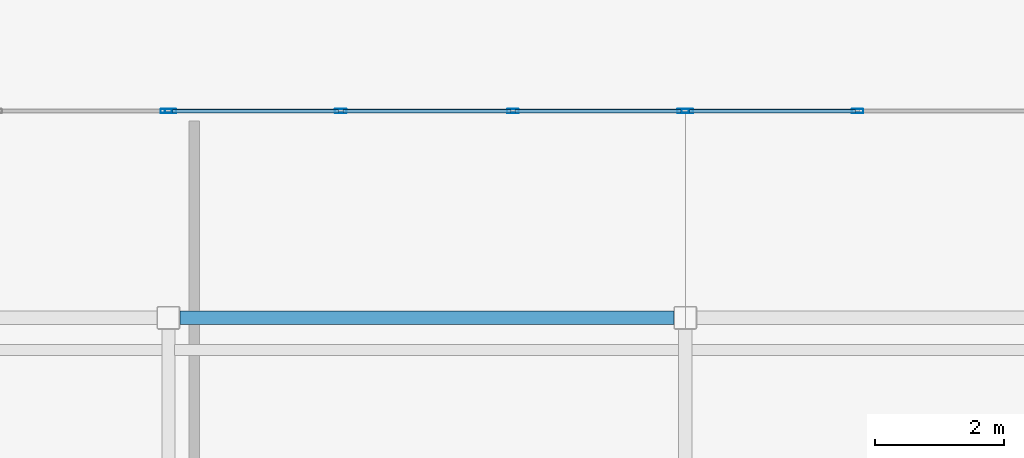
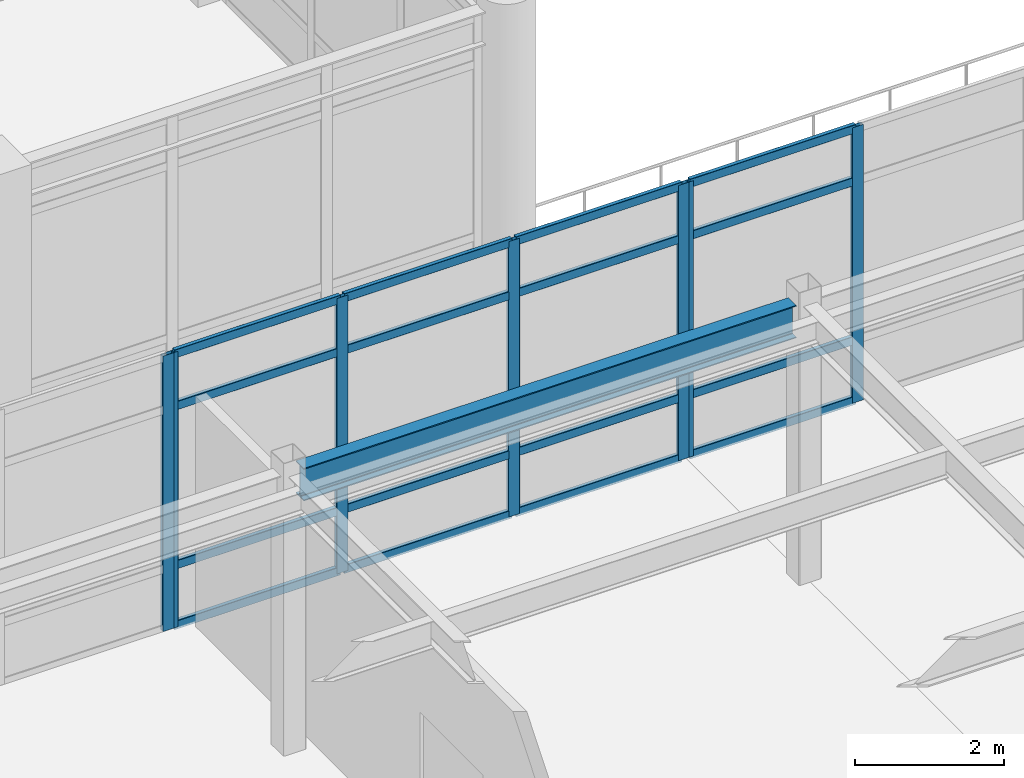
# One storey, part 39 of 117: 23 members, 1 beam, 3 elements without a shape of their own.
"""IFC4 building model written with IfcOpenShell, lengths in metres."""

from ifc_helpers import new_model, si_unit, direction, frame, origin, origin_2d, place, context, subcontext, project, spatial, hollow_rectangle, i_section, extrude, material, material_profile, profile_set, type_object, element, aggregate, save


model = new_model("IFC4")

# Units and contexts
model_context = context("Model", 3, precision=1e-05, world=origin(), true_north=direction((0.0, 1.0)))
body_context = subcontext(model_context, "Body", "Model", "MODEL_VIEW")
ifc_project = project(units=[si_unit("LENGTHUNIT", "METRE"), si_unit("AREAUNIT", "SQUARE_METRE"), si_unit("VOLUMEUNIT", "CUBIC_METRE"), si_unit("PLANEANGLEUNIT", "RADIAN"), si_unit("MASSUNIT", "GRAM", prefix="KILO")], contexts=[model_context])

# Site, building, storey
site_placement = place(None, origin())
site = spatial("IfcSite", under=ifc_project, at=site_placement, CompositionType="ELEMENT")
building_placement = place(site_placement, origin())
building = spatial("IfcBuilding", under=site, at=building_placement, Name="Solmirada Galleria", CompositionType="ELEMENT")
storey_placement = place(building_placement, frame((0.0, 0.0, 5.60009765625)))
storey = spatial("IfcBuildingStorey", under=building, at=storey_placement, Name="L01", CompositionType="ELEMENT", Elevation=5.60009765625)

# Beam
ifc_material_1 = material(Name="Steel S355 / ASTM A992 Grade 50", Category="steel")
ifc_material_profile_1 = material_profile(ifc_material_1, i_section(OverallWidth=0.2099609375, OverallDepth=0.537109375, WebThickness=0.010986328125, FlangeThickness=0.017333984375, FilletRadius=0.014892578125, at=origin_2d()), Name="W21X68")
ifc_profile_set_1 = profile_set([ifc_material_profile_1], Name="Steel S355 / ASTM A992 Grade 50")
beam_type = type_object("IfcBeamType", Name="BM-GIRD-W21B", PredefinedType="BEAM", material=ifc_profile_set_1)
beam_placement = place(storey_placement, frame((104.177978515625, 40.0, 4.29150390625), z_axis=(1.0, 0.0, 0.0), x_axis=(0.0, 1.0, 0.0)))
element("IfcBeam", 1, at=beam_placement, inside=storey, type_object=beam_type, Name="Primary beam L02 X(104..112, 40)", PredefinedType="BEAM", context=body_context, shape_type="SweptSolid", body=[
    extrude(i_section(OverallWidth=0.2099609375, OverallDepth=0.537109375, WebThickness=0.010986328125, FlangeThickness=0.017333984375, FilletRadius=0.014892578125, at=origin_2d()), origin(), (0.0, 0.0, 1.0), 7.64404296875),
])

# Curtain wall, member
ifc_material_2 = material(Name="Impact-resistant low-E double glazing", Category="glass")
curtain_wall_type = type_object("IfcCurtainWallType", Name="CW-FZ5-L01-B3-L080", PredefinedType="NOTDEFINED", material=ifc_material_2)
curtain_wall_1_placement = place(storey_placement, origin())
curtain_wall_1 = element("IfcCurtainWall", 2, at=curtain_wall_1_placement, inside=storey, type_object=curtain_wall_type, Name="Terrace and arcade storefront CW-L01-073", PredefinedType="NOTDEFINED")
ifc_material_3 = material(Name="Anodised aluminium framing", Category="aluminium")
ifc_material_profile_2 = material_profile(ifc_material_3, hollow_rectangle(XDim=0.06494140625, YDim=0.179931640625, WallThickness=0.00390625, InnerFilletRadius=0.00390625, OuterFilletRadius=0.008056640625, at=origin_2d()), Name="ALU-MULL-180X65")
ifc_profile_set_2 = profile_set([ifc_material_profile_2], Name="Anodised aluminium framing")
member_type_1 = type_object("IfcMemberType", Name="CW-MULL-180", PredefinedType="MULLION", material=ifc_profile_set_2)
member_1_placement = place(storey_placement, frame((103.967529296875, 43.199951171875, 0.0), z_axis=(0.0, 0.0, 1.0), x_axis=(0.0, 1.0, 0.0)))
member_1 = element("IfcMember", 3, at=member_1_placement, type_object=member_type_1, Name="CW17 mullion 4", PredefinedType="MULLION", context=body_context, shape_type="SweptSolid", body=[
    extrude(hollow_rectangle(XDim=0.06494140625, YDim=0.179931640625, WallThickness=0.00390625, InnerFilletRadius=0.00390625, OuterFilletRadius=0.008056640625, at=origin_2d()), origin(), (0.0, 0.0, 1.0), 4.52001953125),
])
aggregate(curtain_wall_1, [member_1])

# Curtain wall, members
curtain_wall_2_placement = place(storey_placement, origin())
curtain_wall_2 = element("IfcCurtainWall", 4, at=curtain_wall_2_placement, inside=storey, type_object=curtain_wall_type, Name="Terrace and arcade storefront CW-L01-074", PredefinedType="NOTDEFINED")
member_2_placement = place(storey_placement, frame((104.032470703125, 43.199951171875, 0.0), z_axis=(0.0, 0.0, 1.0), x_axis=(0.0, 1.0, 0.0)))
member_2 = element("IfcMember", 5, at=member_2_placement, type_object=member_type_1, Name="CW17 mullion 1", PredefinedType="MULLION", context=body_context, shape_type="SweptSolid", body=[
    extrude(hollow_rectangle(XDim=0.06494140625, YDim=0.179931640625, WallThickness=0.00390625, InnerFilletRadius=0.00390625, OuterFilletRadius=0.008056640625, at=origin_2d()), origin(), (0.0, 0.0, 1.0), 4.52001953125),
])
member_3_placement = place(storey_placement, frame((106.666748046875, 43.199951171875, 0.0), z_axis=(0.0, 0.0, 1.0), x_axis=(0.0, 1.0, 0.0)))
member_3 = element("IfcMember", 6, at=member_3_placement, type_object=member_type_1, Name="CW17 mullion 2", PredefinedType="MULLION", context=body_context, shape_type="SweptSolid", body=[
    extrude(hollow_rectangle(XDim=0.06494140625, YDim=0.179931640625, WallThickness=0.00390625, InnerFilletRadius=0.00390625, OuterFilletRadius=0.008056640625, at=origin_2d()), origin(), (0.0, 0.0, 1.0), 4.52001953125),
])
member_4_placement = place(storey_placement, frame((109.333251953125, 43.199951171875, 0.0), z_axis=(0.0, 0.0, 1.0), x_axis=(0.0, 1.0, 0.0)))
member_4 = element("IfcMember", 7, at=member_4_placement, type_object=member_type_1, Name="CW17 mullion 3", PredefinedType="MULLION", context=body_context, shape_type="SweptSolid", body=[
    extrude(hollow_rectangle(XDim=0.06494140625, YDim=0.179931640625, WallThickness=0.00390625, InnerFilletRadius=0.00390625, OuterFilletRadius=0.008056640625, at=origin_2d()), origin(), (0.0, 0.0, 1.0), 4.52001953125),
])
member_5_placement = place(storey_placement, frame((111.967529296875, 43.199951171875, 0.0), z_axis=(0.0, 0.0, 1.0), x_axis=(0.0, 1.0, 0.0)))
member_5 = element("IfcMember", 8, at=member_5_placement, type_object=member_type_1, Name="CW17 mullion 4", PredefinedType="MULLION", context=body_context, shape_type="SweptSolid", body=[
    extrude(hollow_rectangle(XDim=0.06494140625, YDim=0.179931640625, WallThickness=0.00390625, InnerFilletRadius=0.00390625, OuterFilletRadius=0.008056640625, at=origin_2d()), origin(), (0.0, 0.0, 1.0), 4.52001953125),
])

curtain_wall_3_placement = place(storey_placement, origin())
curtain_wall_3 = element("IfcCurtainWall", 9, at=curtain_wall_3_placement, inside=storey, type_object=curtain_wall_type, Name="Terrace and arcade storefront CW-L01-075", PredefinedType="NOTDEFINED")
member_6_placement = place(storey_placement, frame((112.032470703125, 43.199951171875, 0.0), z_axis=(0.0, 0.0, 1.0), x_axis=(0.0, 1.0, 0.0)))
member_6 = element("IfcMember", 10, at=member_6_placement, type_object=member_type_1, Name="CW17 mullion 1", PredefinedType="MULLION", context=body_context, shape_type="SweptSolid", body=[
    extrude(hollow_rectangle(XDim=0.06494140625, YDim=0.179931640625, WallThickness=0.00390625, InnerFilletRadius=0.00390625, OuterFilletRadius=0.008056640625, at=origin_2d()), origin(), (0.0, 0.0, 1.0), 4.52001953125),
])
member_7_placement = place(storey_placement, frame((114.666748046875, 43.199951171875, 0.0), z_axis=(0.0, 0.0, 1.0), x_axis=(0.0, 1.0, 0.0)))
member_7 = element("IfcMember", 11, at=member_7_placement, type_object=member_type_1, Name="CW17 mullion 2", PredefinedType="MULLION", context=body_context, shape_type="SweptSolid", body=[
    extrude(hollow_rectangle(XDim=0.06494140625, YDim=0.179931640625, WallThickness=0.00390625, InnerFilletRadius=0.00390625, OuterFilletRadius=0.008056640625, at=origin_2d()), origin(), (0.0, 0.0, 1.0), 4.52001953125),
])

# Member
ifc_material_profile_3 = material_profile(ifc_material_3, hollow_rectangle(XDim=0.06494140625, YDim=0.139892578125, WallThickness=0.00341796875, InnerFilletRadius=0.00341796875, OuterFilletRadius=0.007080078125, at=origin_2d()), Name="ALU-TRAN-140X65")
ifc_profile_set_3 = profile_set([ifc_material_profile_3], Name="Anodised aluminium framing")
member_type_2 = type_object("IfcMemberType", Name="CW-TRAN-140", PredefinedType="USERDEFINED", material=ifc_profile_set_3)
member_8_placement = place(storey_placement, frame((104.06494140625, 43.199951171875, 0.032470703125), z_axis=(1.0, 0.0, 0.0), x_axis=(0.0, 1.0, 0.0)))
member_8 = element("IfcMember", 12, at=member_8_placement, type_object=member_type_2, Name="CW17 transom 1.1", ObjectType="TRANSOM", PredefinedType="USERDEFINED", context=body_context, shape_type="SweptSolid", body=[
    extrude(hollow_rectangle(XDim=0.06494140625, YDim=0.139892578125, WallThickness=0.00341796875, InnerFilletRadius=0.00341796875, OuterFilletRadius=0.007080078125, at=origin_2d()), origin(), (0.0, 0.0, 1.0), 2.5693359375),
])

member_9_placement = place(storey_placement, frame((104.06494140625, 43.199951171875, 1.02001953125), z_axis=(1.0, 0.0, 0.0), x_axis=(0.0, 1.0, 0.0)))
member_9 = element("IfcMember", 13, at=member_9_placement, type_object=member_type_2, Name="CW17 transom 1.2", ObjectType="TRANSOM", PredefinedType="USERDEFINED", context=body_context, shape_type="SweptSolid", body=[
    extrude(hollow_rectangle(XDim=0.06494140625, YDim=0.139892578125, WallThickness=0.00341796875, InnerFilletRadius=0.00341796875, OuterFilletRadius=0.007080078125, at=origin_2d()), origin(), (0.0, 0.0, 1.0), 2.5693359375),
])

member_10_placement = place(storey_placement, frame((104.06494140625, 43.199951171875, 3.6298828125), z_axis=(1.0, 0.0, 0.0), x_axis=(0.0, 1.0, 0.0)))
member_10 = element("IfcMember", 14, at=member_10_placement, type_object=member_type_2, Name="CW17 transom 1.3", ObjectType="TRANSOM", PredefinedType="USERDEFINED", context=body_context, shape_type="SweptSolid", body=[
    extrude(hollow_rectangle(XDim=0.06494140625, YDim=0.139892578125, WallThickness=0.00341796875, InnerFilletRadius=0.00341796875, OuterFilletRadius=0.007080078125, at=origin_2d()), origin(), (0.0, 0.0, 1.0), 2.5693359375),
])

member_11_placement = place(storey_placement, frame((104.06494140625, 43.199951171875, 4.4873046875), z_axis=(1.0, 0.0, 0.0), x_axis=(0.0, 1.0, 0.0)))
member_11 = element("IfcMember", 15, at=member_11_placement, type_object=member_type_2, Name="CW17 transom 1.4", ObjectType="TRANSOM", PredefinedType="USERDEFINED", context=body_context, shape_type="SweptSolid", body=[
    extrude(hollow_rectangle(XDim=0.06494140625, YDim=0.139892578125, WallThickness=0.00341796875, InnerFilletRadius=0.00341796875, OuterFilletRadius=0.007080078125, at=origin_2d()), origin(), (0.0, 0.0, 1.0), 2.5693359375),
])

member_12_placement = place(storey_placement, frame((106.69921875, 43.199951171875, 0.032470703125), z_axis=(1.0, 0.0, 0.0), x_axis=(0.0, 1.0, 0.0)))
member_12 = element("IfcMember", 16, at=member_12_placement, type_object=member_type_2, Name="CW17 transom 2.1", ObjectType="TRANSOM", PredefinedType="USERDEFINED", context=body_context, shape_type="SweptSolid", body=[
    extrude(hollow_rectangle(XDim=0.06494140625, YDim=0.139892578125, WallThickness=0.00341796875, InnerFilletRadius=0.00341796875, OuterFilletRadius=0.007080078125, at=origin_2d()), origin(), (0.0, 0.0, 1.0), 2.6015625),
])

member_13_placement = place(storey_placement, frame((106.69921875, 43.199951171875, 1.02001953125), z_axis=(1.0, 0.0, 0.0), x_axis=(0.0, 1.0, 0.0)))
member_13 = element("IfcMember", 17, at=member_13_placement, type_object=member_type_2, Name="CW17 transom 2.2", ObjectType="TRANSOM", PredefinedType="USERDEFINED", context=body_context, shape_type="SweptSolid", body=[
    extrude(hollow_rectangle(XDim=0.06494140625, YDim=0.139892578125, WallThickness=0.00341796875, InnerFilletRadius=0.00341796875, OuterFilletRadius=0.007080078125, at=origin_2d()), origin(), (0.0, 0.0, 1.0), 2.6015625),
])

member_14_placement = place(storey_placement, frame((106.69921875, 43.199951171875, 3.6298828125), z_axis=(1.0, 0.0, 0.0), x_axis=(0.0, 1.0, 0.0)))
member_14 = element("IfcMember", 18, at=member_14_placement, type_object=member_type_2, Name="CW17 transom 2.3", ObjectType="TRANSOM", PredefinedType="USERDEFINED", context=body_context, shape_type="SweptSolid", body=[
    extrude(hollow_rectangle(XDim=0.06494140625, YDim=0.139892578125, WallThickness=0.00341796875, InnerFilletRadius=0.00341796875, OuterFilletRadius=0.007080078125, at=origin_2d()), origin(), (0.0, 0.0, 1.0), 2.6015625),
])

member_15_placement = place(storey_placement, frame((106.69921875, 43.199951171875, 4.4873046875), z_axis=(1.0, 0.0, 0.0), x_axis=(0.0, 1.0, 0.0)))
member_15 = element("IfcMember", 19, at=member_15_placement, type_object=member_type_2, Name="CW17 transom 2.4", ObjectType="TRANSOM", PredefinedType="USERDEFINED", context=body_context, shape_type="SweptSolid", body=[
    extrude(hollow_rectangle(XDim=0.06494140625, YDim=0.139892578125, WallThickness=0.00341796875, InnerFilletRadius=0.00341796875, OuterFilletRadius=0.007080078125, at=origin_2d()), origin(), (0.0, 0.0, 1.0), 2.6015625),
])

member_16_placement = place(storey_placement, frame((109.36572265625, 43.199951171875, 0.032470703125), z_axis=(1.0, 0.0, 0.0), x_axis=(0.0, 1.0, 0.0)))
member_16 = element("IfcMember", 20, at=member_16_placement, type_object=member_type_2, Name="CW17 transom 3.1", ObjectType="TRANSOM", PredefinedType="USERDEFINED", context=body_context, shape_type="SweptSolid", body=[
    extrude(hollow_rectangle(XDim=0.06494140625, YDim=0.139892578125, WallThickness=0.00341796875, InnerFilletRadius=0.00341796875, OuterFilletRadius=0.007080078125, at=origin_2d()), origin(), (0.0, 0.0, 1.0), 2.5693359375),
])

member_17_placement = place(storey_placement, frame((109.36572265625, 43.199951171875, 1.02001953125), z_axis=(1.0, 0.0, 0.0), x_axis=(0.0, 1.0, 0.0)))
member_17 = element("IfcMember", 21, at=member_17_placement, type_object=member_type_2, Name="CW17 transom 3.2", ObjectType="TRANSOM", PredefinedType="USERDEFINED", context=body_context, shape_type="SweptSolid", body=[
    extrude(hollow_rectangle(XDim=0.06494140625, YDim=0.139892578125, WallThickness=0.00341796875, InnerFilletRadius=0.00341796875, OuterFilletRadius=0.007080078125, at=origin_2d()), origin(), (0.0, 0.0, 1.0), 2.5693359375),
])

member_18_placement = place(storey_placement, frame((109.36572265625, 43.199951171875, 3.6298828125), z_axis=(1.0, 0.0, 0.0), x_axis=(0.0, 1.0, 0.0)))
member_18 = element("IfcMember", 22, at=member_18_placement, type_object=member_type_2, Name="CW17 transom 3.3", ObjectType="TRANSOM", PredefinedType="USERDEFINED", context=body_context, shape_type="SweptSolid", body=[
    extrude(hollow_rectangle(XDim=0.06494140625, YDim=0.139892578125, WallThickness=0.00341796875, InnerFilletRadius=0.00341796875, OuterFilletRadius=0.007080078125, at=origin_2d()), origin(), (0.0, 0.0, 1.0), 2.5693359375),
])

member_19_placement = place(storey_placement, frame((109.36572265625, 43.199951171875, 4.4873046875), z_axis=(1.0, 0.0, 0.0), x_axis=(0.0, 1.0, 0.0)))
member_19 = element("IfcMember", 23, at=member_19_placement, type_object=member_type_2, Name="CW17 transom 3.4", ObjectType="TRANSOM", PredefinedType="USERDEFINED", context=body_context, shape_type="SweptSolid", body=[
    extrude(hollow_rectangle(XDim=0.06494140625, YDim=0.139892578125, WallThickness=0.00341796875, InnerFilletRadius=0.00341796875, OuterFilletRadius=0.007080078125, at=origin_2d()), origin(), (0.0, 0.0, 1.0), 2.5693359375),
])

aggregate(curtain_wall_2, [member_2, member_3, member_4, member_5, member_8, member_9, member_10, member_11, member_12, member_13, member_14, member_15, member_16, member_17, member_18, member_19])

member_20_placement = place(storey_placement, frame((112.06494140625, 43.199951171875, 0.032470703125), z_axis=(1.0, 0.0, 0.0), x_axis=(0.0, 1.0, 0.0)))
member_20 = element("IfcMember", 24, at=member_20_placement, type_object=member_type_2, Name="CW17 transom 1.1", ObjectType="TRANSOM", PredefinedType="USERDEFINED", context=body_context, shape_type="SweptSolid", body=[
    extrude(hollow_rectangle(XDim=0.06494140625, YDim=0.139892578125, WallThickness=0.00341796875, InnerFilletRadius=0.00341796875, OuterFilletRadius=0.007080078125, at=origin_2d()), origin(), (0.0, 0.0, 1.0), 2.5693359375),
])

member_21_placement = place(storey_placement, frame((112.06494140625, 43.199951171875, 1.02001953125), z_axis=(1.0, 0.0, 0.0), x_axis=(0.0, 1.0, 0.0)))
member_21 = element("IfcMember", 25, at=member_21_placement, type_object=member_type_2, Name="CW17 transom 1.2", ObjectType="TRANSOM", PredefinedType="USERDEFINED", context=body_context, shape_type="SweptSolid", body=[
    extrude(hollow_rectangle(XDim=0.06494140625, YDim=0.139892578125, WallThickness=0.00341796875, InnerFilletRadius=0.00341796875, OuterFilletRadius=0.007080078125, at=origin_2d()), origin(), (0.0, 0.0, 1.0), 2.5693359375),
])

member_22_placement = place(storey_placement, frame((112.06494140625, 43.199951171875, 3.6298828125), z_axis=(1.0, 0.0, 0.0), x_axis=(0.0, 1.0, 0.0)))
member_22 = element("IfcMember", 26, at=member_22_placement, type_object=member_type_2, Name="CW17 transom 1.3", ObjectType="TRANSOM", PredefinedType="USERDEFINED", context=body_context, shape_type="SweptSolid", body=[
    extrude(hollow_rectangle(XDim=0.06494140625, YDim=0.139892578125, WallThickness=0.00341796875, InnerFilletRadius=0.00341796875, OuterFilletRadius=0.007080078125, at=origin_2d()), origin(), (0.0, 0.0, 1.0), 2.5693359375),
])

member_23_placement = place(storey_placement, frame((112.06494140625, 43.199951171875, 4.4873046875), z_axis=(1.0, 0.0, 0.0), x_axis=(0.0, 1.0, 0.0)))
member_23 = element("IfcMember", 27, at=member_23_placement, type_object=member_type_2, Name="CW17 transom 1.4", ObjectType="TRANSOM", PredefinedType="USERDEFINED", context=body_context, shape_type="SweptSolid", body=[
    extrude(hollow_rectangle(XDim=0.06494140625, YDim=0.139892578125, WallThickness=0.00341796875, InnerFilletRadius=0.00341796875, OuterFilletRadius=0.007080078125, at=origin_2d()), origin(), (0.0, 0.0, 1.0), 2.5693359375),
])

aggregate(curtain_wall_3, [member_6, member_7, member_20, member_21, member_22, member_23])

save(model, "model.ifc")
